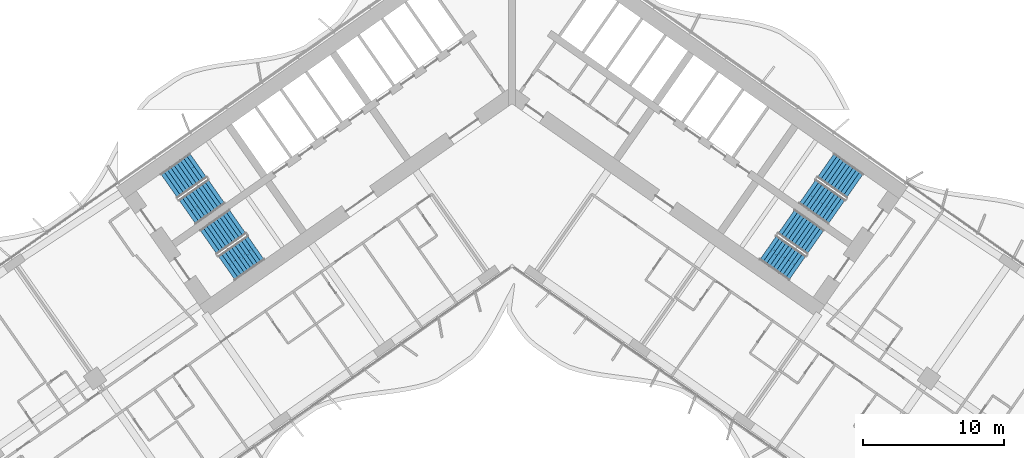
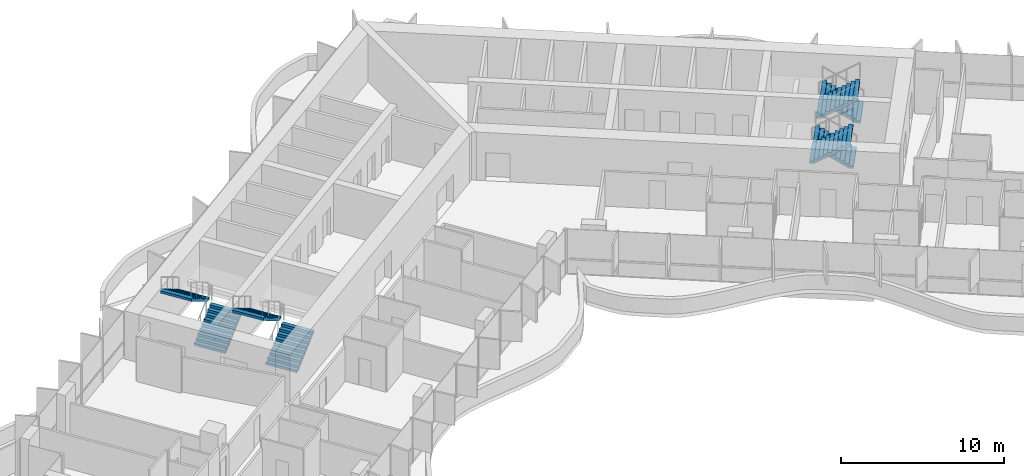
# One storey, part 18 of 25: 8 stair flights, 4 elements without a shape of their own.
"""IFC4 building model written with IfcOpenShell, lengths in metres."""

from ifc_helpers import new_model, si_unit, direction, frame, origin, place, context, subcontext, project, spatial, polyline, outline, extrude, material, type_object, element, aggregate, save


model = new_model("IFC4")

# Units and contexts
model_context = context("Model", 3, precision=1e-05, world=origin(), true_north=direction((0.0, 1.0)))
body_context = subcontext(model_context, "Body", "Model", "MODEL_VIEW")
ifc_project = project(units=[si_unit("LENGTHUNIT", "METRE"), si_unit("AREAUNIT", "SQUARE_METRE"), si_unit("VOLUMEUNIT", "CUBIC_METRE"), si_unit("PLANEANGLEUNIT", "RADIAN"), si_unit("MASSUNIT", "GRAM", prefix="KILO")], contexts=[model_context])

# Site, building, storey
site_placement = place(None, origin())
site = spatial("IfcSite", under=ifc_project, at=site_placement, CompositionType="ELEMENT")
building_placement = place(site_placement, origin())
building = spatial("IfcBuilding", under=site, at=building_placement, Name="Tel Ilan Convention Tower", CompositionType="ELEMENT")
storey_placement = place(building_placement, frame((0.0, 0.0, 97.699951171875)))
storey = spatial("IfcBuildingStorey", under=building, at=storey_placement, Name="L20", CompositionType="ELEMENT", Elevation=97.699951171875)

# Stair, stair flights
ifc_material_1 = material(Name="Concrete C40/50", Category="concrete")
stair_type = type_object("IfcStairType", Name="Pressurised Exit Stair 20 risers 180 mm", PredefinedType="HALF_TURN_STAIR", material=ifc_material_1)
stair_1_placement = place(storey_placement, origin())
stair_1 = element("IfcStair", 1, at=stair_1_placement, inside=storey, type_object=stair_type, Name="L20 Pressurised Stair S1", PredefinedType="HALF_TURN_STAIR")
ifc_material_2 = material(Name="Precast Concrete C40/50", Category="concrete")
stair_flight_type = type_object("IfcStairFlightType", Name="Concrete Stair Flight 2100 mm 20 risers 180 mm", PredefinedType="STRAIGHT", material=ifc_material_2)
stair_flight_1_placement = place(storey_placement, frame((-22.9619140625, -8.87548828125, 0.0), z_axis=(0.0, 0.0, 1.0), x_axis=(0.819152044289, 0.573576436351, 0.0)))
stair_flight_1 = element("IfcStairFlight", 2, at=stair_flight_1_placement, type_object=stair_flight_type, Name="S1 flight 1", NumberOfRisers=10, NumberOfTreads=9, PredefinedType="STRAIGHT", RiserHeight=0.18, TreadLength=0.28, context=body_context, shape_type="SweptSolid", body=[
    extrude(outline(polyline([(0.0, 0.0), (0.0, 0.179931640625), (0.280029296875, 0.179931640625), (0.280029296875, 0.360107421875), (0.56005859375, 0.360107421875), (0.56005859375, 0.5400390625), (0.840087890625, 0.5400390625), (0.840087890625, 0.719970703125), (1.1201171875, 0.719970703125), (1.1201171875, 0.89990234375), (1.39990234375, 0.89990234375), (1.39990234375, 1.080078125), (1.679931640625, 1.080078125), (1.679931640625, 1.260009765625), (1.9599609375, 1.260009765625), (1.9599609375, 1.43994140625), (2.239990234375, 1.43994140625), (2.239990234375, 1.6201171875), (2.52001953125, 1.6201171875), (2.52001953125, 1.800048828125), (2.52001953125, 1.44189453125), (0.277099609375, 0.0), (0.0, 0.0)])), frame((0.0, -0.100341796875, 0.0), z_axis=(0.0, -1.0, 0.0), x_axis=(1.0, 0.0, 0.0)), (0.0, 0.0, 1.0), 0.94970703125),
    extrude(outline(polyline([(0.0, 0.0), (0.0, 0.179931640625), (0.280029296875, 0.179931640625), (0.280029296875, 0.360107421875), (0.56005859375, 0.360107421875), (0.56005859375, 0.5400390625), (0.840087890625, 0.5400390625), (0.840087890625, 0.719970703125), (1.1201171875, 0.719970703125), (1.1201171875, 0.89990234375), (1.39990234375, 0.89990234375), (1.39990234375, 1.080078125), (1.679931640625, 1.080078125), (1.679931640625, 1.260009765625), (1.9599609375, 1.260009765625), (1.9599609375, 1.43994140625), (2.239990234375, 1.43994140625), (2.239990234375, 1.6201171875), (2.52001953125, 1.6201171875), (2.52001953125, 1.800048828125), (2.52001953125, 1.44189453125), (0.277099609375, 0.0), (0.0, 0.0)])), frame((0.0, -0.000244140625, 0.0), z_axis=(0.0, -1.0, 0.0), x_axis=(1.0, 0.0, 0.0)), (0.0, 0.0, 1.0), 0.099609375),
    extrude(outline(polyline([(0.0, 0.0), (0.0, 0.179931640625), (0.280029296875, 0.179931640625), (0.280029296875, 0.360107421875), (0.56005859375, 0.360107421875), (0.56005859375, 0.5400390625), (0.840087890625, 0.5400390625), (0.840087890625, 0.719970703125), (1.1201171875, 0.719970703125), (1.1201171875, 0.89990234375), (1.39990234375, 0.89990234375), (1.39990234375, 1.080078125), (1.679931640625, 1.080078125), (1.679931640625, 1.260009765625), (1.9599609375, 1.260009765625), (1.9599609375, 1.43994140625), (2.239990234375, 1.43994140625), (2.239990234375, 1.6201171875), (2.52001953125, 1.6201171875), (2.52001953125, 1.800048828125), (2.52001953125, 1.44189453125), (0.277099609375, 0.0), (0.0, 0.0)])), frame((0.0, 0.099853515625, 0.0), z_axis=(0.0, -1.0, 0.0), x_axis=(1.0, 0.0, 0.0)), (0.0, 0.0, 1.0), 0.099609375),
    extrude(outline(polyline([(0.0, 0.0), (0.0, 0.179931640625), (0.280029296875, 0.179931640625), (0.280029296875, 0.360107421875), (0.56005859375, 0.360107421875), (0.56005859375, 0.5400390625), (0.840087890625, 0.5400390625), (0.840087890625, 0.719970703125), (1.1201171875, 0.719970703125), (1.1201171875, 0.89990234375), (1.39990234375, 0.89990234375), (1.39990234375, 1.080078125), (1.679931640625, 1.080078125), (1.679931640625, 1.260009765625), (1.9599609375, 1.260009765625), (1.9599609375, 1.43994140625), (2.239990234375, 1.43994140625), (2.239990234375, 1.6201171875), (2.52001953125, 1.6201171875), (2.52001953125, 1.800048828125), (2.52001953125, 1.44189453125), (0.277099609375, 0.0), (0.0, 0.0)])), frame((0.0, 1.050048828125, 0.0), z_axis=(0.0, -1.0, 0.0), x_axis=(1.0, 0.0, 0.0)), (0.0, 0.0, 1.0), 0.94970703125),
])
stair_flight_2_placement = place(storey_placement, frame((-22.188232421875, -5.5869140625, 1.800048828125), z_axis=(0.0, 0.0, 1.0), x_axis=(-0.819152044289, -0.573576436351, 0.0)))
stair_flight_2 = element("IfcStairFlight", 3, at=stair_flight_2_placement, type_object=stair_flight_type, Name="S1 flight 2", NumberOfRisers=10, NumberOfTreads=9, PredefinedType="STRAIGHT", RiserHeight=0.18, TreadLength=0.28, context=body_context, shape_type="SweptSolid", body=[
    extrude(outline(polyline([(0.0, 0.0), (0.0, 0.179931640625), (0.280029296875, 0.179931640625), (0.280029296875, 0.360107421875), (0.56005859375, 0.360107421875), (0.56005859375, 0.5400390625), (0.840087890625, 0.5400390625), (0.840087890625, 0.719970703125), (1.1201171875, 0.719970703125), (1.1201171875, 0.89990234375), (1.39990234375, 0.89990234375), (1.39990234375, 1.080078125), (1.679931640625, 1.080078125), (1.679931640625, 1.260009765625), (1.9599609375, 1.260009765625), (1.9599609375, 1.43994140625), (2.239990234375, 1.43994140625), (2.239990234375, 1.6201171875), (2.52001953125, 1.6201171875), (2.52001953125, 1.800048828125), (2.52001953125, 1.44189453125), (0.277099609375, 0.0), (0.0, 0.0)])), frame((0.0, -0.100341796875, 0.0), z_axis=(0.0, -1.0, 0.0), x_axis=(1.0, 0.0, 0.0)), (0.0, 0.0, 1.0), 0.94970703125),
    extrude(outline(polyline([(0.0, 0.0), (0.0, 0.179931640625), (0.280029296875, 0.179931640625), (0.280029296875, 0.360107421875), (0.56005859375, 0.360107421875), (0.56005859375, 0.5400390625), (0.840087890625, 0.5400390625), (0.840087890625, 0.719970703125), (1.1201171875, 0.719970703125), (1.1201171875, 0.89990234375), (1.39990234375, 0.89990234375), (1.39990234375, 1.080078125), (1.679931640625, 1.080078125), (1.679931640625, 1.260009765625), (1.9599609375, 1.260009765625), (1.9599609375, 1.43994140625), (2.239990234375, 1.43994140625), (2.239990234375, 1.6201171875), (2.52001953125, 1.6201171875), (2.52001953125, 1.800048828125), (2.52001953125, 1.44189453125), (0.277099609375, 0.0), (0.0, 0.0)])), frame((0.0, -0.000244140625, 0.0), z_axis=(0.0, -1.0, 0.0), x_axis=(1.0, 0.0, 0.0)), (0.0, 0.0, 1.0), 0.099609375),
    extrude(outline(polyline([(0.0, 0.0), (0.0, 0.179931640625), (0.280029296875, 0.179931640625), (0.280029296875, 0.360107421875), (0.56005859375, 0.360107421875), (0.56005859375, 0.5400390625), (0.840087890625, 0.5400390625), (0.840087890625, 0.719970703125), (1.1201171875, 0.719970703125), (1.1201171875, 0.89990234375), (1.39990234375, 0.89990234375), (1.39990234375, 1.080078125), (1.679931640625, 1.080078125), (1.679931640625, 1.260009765625), (1.9599609375, 1.260009765625), (1.9599609375, 1.43994140625), (2.239990234375, 1.43994140625), (2.239990234375, 1.6201171875), (2.52001953125, 1.6201171875), (2.52001953125, 1.800048828125), (2.52001953125, 1.44189453125), (0.277099609375, 0.0), (0.0, 0.0)])), frame((0.0, 0.099853515625, 0.0), z_axis=(0.0, -1.0, 0.0), x_axis=(1.0, 0.0, 0.0)), (0.0, 0.0, 1.0), 0.099609375),
    extrude(outline(polyline([(0.0, 0.0), (0.0, 0.179931640625), (0.280029296875, 0.179931640625), (0.280029296875, 0.360107421875), (0.56005859375, 0.360107421875), (0.56005859375, 0.5400390625), (0.840087890625, 0.5400390625), (0.840087890625, 0.719970703125), (1.1201171875, 0.719970703125), (1.1201171875, 0.89990234375), (1.39990234375, 0.89990234375), (1.39990234375, 1.080078125), (1.679931640625, 1.080078125), (1.679931640625, 1.260009765625), (1.9599609375, 1.260009765625), (1.9599609375, 1.43994140625), (2.239990234375, 1.43994140625), (2.239990234375, 1.6201171875), (2.52001953125, 1.6201171875), (2.52001953125, 1.800048828125), (2.52001953125, 1.44189453125), (0.277099609375, 0.0), (0.0, 0.0)])), frame((0.0, 1.050048828125, 0.0), z_axis=(0.0, -1.0, 0.0), x_axis=(1.0, 0.0, 0.0)), (0.0, 0.0, 1.0), 0.94970703125),
])
aggregate(stair_1, [stair_flight_1, stair_flight_2])

stair_2_placement = place(storey_placement, origin())
stair_2 = element("IfcStair", 4, at=stair_2_placement, inside=storey, type_object=stair_type, Name="L20 Pressurised Stair S2", PredefinedType="HALF_TURN_STAIR")
stair_flight_3_placement = place(storey_placement, frame((-20.179931640625, -12.848388671875, 0.0), z_axis=(0.0, 0.0, 1.0), x_axis=(0.819152044289, 0.573576436351, 0.0)))
stair_flight_3 = element("IfcStairFlight", 5, at=stair_flight_3_placement, type_object=stair_flight_type, Name="S2 flight 1", NumberOfRisers=10, NumberOfTreads=9, PredefinedType="STRAIGHT", RiserHeight=0.18, TreadLength=0.28, context=body_context, shape_type="SweptSolid", body=[
    extrude(outline(polyline([(0.0, 0.0), (0.0, 0.179931640625), (0.280029296875, 0.179931640625), (0.280029296875, 0.360107421875), (0.56005859375, 0.360107421875), (0.56005859375, 0.5400390625), (0.840087890625, 0.5400390625), (0.840087890625, 0.719970703125), (1.1201171875, 0.719970703125), (1.1201171875, 0.89990234375), (1.39990234375, 0.89990234375), (1.39990234375, 1.080078125), (1.679931640625, 1.080078125), (1.679931640625, 1.260009765625), (1.9599609375, 1.260009765625), (1.9599609375, 1.43994140625), (2.239990234375, 1.43994140625), (2.239990234375, 1.6201171875), (2.52001953125, 1.6201171875), (2.52001953125, 1.800048828125), (2.52001953125, 1.44189453125), (0.277099609375, 0.0), (0.0, 0.0)])), frame((0.0, -0.100341796875, 0.0), z_axis=(0.0, -1.0, 0.0), x_axis=(1.0, 0.0, 0.0)), (0.0, 0.0, 1.0), 0.94970703125),
    extrude(outline(polyline([(0.0, 0.0), (0.0, 0.179931640625), (0.280029296875, 0.179931640625), (0.280029296875, 0.360107421875), (0.56005859375, 0.360107421875), (0.56005859375, 0.5400390625), (0.840087890625, 0.5400390625), (0.840087890625, 0.719970703125), (1.1201171875, 0.719970703125), (1.1201171875, 0.89990234375), (1.39990234375, 0.89990234375), (1.39990234375, 1.080078125), (1.679931640625, 1.080078125), (1.679931640625, 1.260009765625), (1.9599609375, 1.260009765625), (1.9599609375, 1.43994140625), (2.239990234375, 1.43994140625), (2.239990234375, 1.6201171875), (2.52001953125, 1.6201171875), (2.52001953125, 1.800048828125), (2.52001953125, 1.44189453125), (0.277099609375, 0.0), (0.0, 0.0)])), frame((0.0, -0.000244140625, 0.0), z_axis=(0.0, -1.0, 0.0), x_axis=(1.0, 0.0, 0.0)), (0.0, 0.0, 1.0), 0.099609375),
    extrude(outline(polyline([(0.0, 0.0), (0.0, 0.179931640625), (0.280029296875, 0.179931640625), (0.280029296875, 0.360107421875), (0.56005859375, 0.360107421875), (0.56005859375, 0.5400390625), (0.840087890625, 0.5400390625), (0.840087890625, 0.719970703125), (1.1201171875, 0.719970703125), (1.1201171875, 0.89990234375), (1.39990234375, 0.89990234375), (1.39990234375, 1.080078125), (1.679931640625, 1.080078125), (1.679931640625, 1.260009765625), (1.9599609375, 1.260009765625), (1.9599609375, 1.43994140625), (2.239990234375, 1.43994140625), (2.239990234375, 1.6201171875), (2.52001953125, 1.6201171875), (2.52001953125, 1.800048828125), (2.52001953125, 1.44189453125), (0.277099609375, 0.0), (0.0, 0.0)])), frame((0.0, 0.099853515625, 0.0), z_axis=(0.0, -1.0, 0.0), x_axis=(1.0, 0.0, 0.0)), (0.0, 0.0, 1.0), 0.099609375),
    extrude(outline(polyline([(0.0, 0.0), (0.0, 0.179931640625), (0.280029296875, 0.179931640625), (0.280029296875, 0.360107421875), (0.56005859375, 0.360107421875), (0.56005859375, 0.5400390625), (0.840087890625, 0.5400390625), (0.840087890625, 0.719970703125), (1.1201171875, 0.719970703125), (1.1201171875, 0.89990234375), (1.39990234375, 0.89990234375), (1.39990234375, 1.080078125), (1.679931640625, 1.080078125), (1.679931640625, 1.260009765625), (1.9599609375, 1.260009765625), (1.9599609375, 1.43994140625), (2.239990234375, 1.43994140625), (2.239990234375, 1.6201171875), (2.52001953125, 1.6201171875), (2.52001953125, 1.800048828125), (2.52001953125, 1.44189453125), (0.277099609375, 0.0), (0.0, 0.0)])), frame((0.0, 1.050048828125, 0.0), z_axis=(0.0, -1.0, 0.0), x_axis=(1.0, 0.0, 0.0)), (0.0, 0.0, 1.0), 0.94970703125),
])
stair_flight_4_placement = place(storey_placement, frame((-19.40625, -9.559814453125, 1.800048828125), z_axis=(0.0, 0.0, 1.0), x_axis=(-0.819152044289, -0.573576436351, 0.0)))
stair_flight_4 = element("IfcStairFlight", 6, at=stair_flight_4_placement, type_object=stair_flight_type, Name="S2 flight 2", NumberOfRisers=10, NumberOfTreads=9, PredefinedType="STRAIGHT", RiserHeight=0.18, TreadLength=0.28, context=body_context, shape_type="SweptSolid", body=[
    extrude(outline(polyline([(0.0, 0.0), (0.0, 0.179931640625), (0.280029296875, 0.179931640625), (0.280029296875, 0.360107421875), (0.56005859375, 0.360107421875), (0.56005859375, 0.5400390625), (0.840087890625, 0.5400390625), (0.840087890625, 0.719970703125), (1.1201171875, 0.719970703125), (1.1201171875, 0.89990234375), (1.39990234375, 0.89990234375), (1.39990234375, 1.080078125), (1.679931640625, 1.080078125), (1.679931640625, 1.260009765625), (1.9599609375, 1.260009765625), (1.9599609375, 1.43994140625), (2.239990234375, 1.43994140625), (2.239990234375, 1.6201171875), (2.52001953125, 1.6201171875), (2.52001953125, 1.800048828125), (2.52001953125, 1.44189453125), (0.277099609375, 0.0), (0.0, 0.0)])), frame((0.0, -0.100341796875, 0.0), z_axis=(0.0, -1.0, 0.0), x_axis=(1.0, 0.0, 0.0)), (0.0, 0.0, 1.0), 0.94970703125),
    extrude(outline(polyline([(0.0, 0.0), (0.0, 0.179931640625), (0.280029296875, 0.179931640625), (0.280029296875, 0.360107421875), (0.56005859375, 0.360107421875), (0.56005859375, 0.5400390625), (0.840087890625, 0.5400390625), (0.840087890625, 0.719970703125), (1.1201171875, 0.719970703125), (1.1201171875, 0.89990234375), (1.39990234375, 0.89990234375), (1.39990234375, 1.080078125), (1.679931640625, 1.080078125), (1.679931640625, 1.260009765625), (1.9599609375, 1.260009765625), (1.9599609375, 1.43994140625), (2.239990234375, 1.43994140625), (2.239990234375, 1.6201171875), (2.52001953125, 1.6201171875), (2.52001953125, 1.800048828125), (2.52001953125, 1.44189453125), (0.277099609375, 0.0), (0.0, 0.0)])), frame((0.0, -0.000244140625, 0.0), z_axis=(0.0, -1.0, 0.0), x_axis=(1.0, 0.0, 0.0)), (0.0, 0.0, 1.0), 0.099609375),
    extrude(outline(polyline([(0.0, 0.0), (0.0, 0.179931640625), (0.280029296875, 0.179931640625), (0.280029296875, 0.360107421875), (0.56005859375, 0.360107421875), (0.56005859375, 0.5400390625), (0.840087890625, 0.5400390625), (0.840087890625, 0.719970703125), (1.1201171875, 0.719970703125), (1.1201171875, 0.89990234375), (1.39990234375, 0.89990234375), (1.39990234375, 1.080078125), (1.679931640625, 1.080078125), (1.679931640625, 1.260009765625), (1.9599609375, 1.260009765625), (1.9599609375, 1.43994140625), (2.239990234375, 1.43994140625), (2.239990234375, 1.6201171875), (2.52001953125, 1.6201171875), (2.52001953125, 1.800048828125), (2.52001953125, 1.44189453125), (0.277099609375, 0.0), (0.0, 0.0)])), frame((0.0, 0.099853515625, 0.0), z_axis=(0.0, -1.0, 0.0), x_axis=(1.0, 0.0, 0.0)), (0.0, 0.0, 1.0), 0.099609375),
    extrude(outline(polyline([(0.0, 0.0), (0.0, 0.179931640625), (0.280029296875, 0.179931640625), (0.280029296875, 0.360107421875), (0.56005859375, 0.360107421875), (0.56005859375, 0.5400390625), (0.840087890625, 0.5400390625), (0.840087890625, 0.719970703125), (1.1201171875, 0.719970703125), (1.1201171875, 0.89990234375), (1.39990234375, 0.89990234375), (1.39990234375, 1.080078125), (1.679931640625, 1.080078125), (1.679931640625, 1.260009765625), (1.9599609375, 1.260009765625), (1.9599609375, 1.43994140625), (2.239990234375, 1.43994140625), (2.239990234375, 1.6201171875), (2.52001953125, 1.6201171875), (2.52001953125, 1.800048828125), (2.52001953125, 1.44189453125), (0.277099609375, 0.0), (0.0, 0.0)])), frame((0.0, 1.050048828125, 0.0), z_axis=(0.0, -1.0, 0.0), x_axis=(1.0, 0.0, 0.0)), (0.0, 0.0, 1.0), 0.94970703125),
])
aggregate(stair_2, [stair_flight_3, stair_flight_4])

stair_3_placement = place(storey_placement, origin())
stair_3 = element("IfcStair", 7, at=stair_3_placement, inside=storey, type_object=stair_type, Name="L20 Pressurised Stair S3", PredefinedType="HALF_TURN_STAIR")
stair_flight_5_placement = place(storey_placement, frame((24.25244140625, -7.032470703125, 0.0), z_axis=(0.0, 0.0, 1.0), x_axis=(-0.819152044289, 0.573576436351, 0.0)))
stair_flight_5 = element("IfcStairFlight", 8, at=stair_flight_5_placement, type_object=stair_flight_type, Name="S3 flight 1", NumberOfRisers=10, NumberOfTreads=9, PredefinedType="STRAIGHT", RiserHeight=0.18, TreadLength=0.28, context=body_context, shape_type="SweptSolid", body=[
    extrude(outline(polyline([(0.0, 0.0), (0.0, 0.179931640625), (0.280029296875, 0.179931640625), (0.280029296875, 0.360107421875), (0.56005859375, 0.360107421875), (0.56005859375, 0.5400390625), (0.840087890625, 0.5400390625), (0.840087890625, 0.719970703125), (1.1201171875, 0.719970703125), (1.1201171875, 0.89990234375), (1.39990234375, 0.89990234375), (1.39990234375, 1.080078125), (1.679931640625, 1.080078125), (1.679931640625, 1.260009765625), (1.9599609375, 1.260009765625), (1.9599609375, 1.43994140625), (2.239990234375, 1.43994140625), (2.239990234375, 1.6201171875), (2.52001953125, 1.6201171875), (2.52001953125, 1.800048828125), (2.52001953125, 1.44189453125), (0.277099609375, 0.0), (0.0, 0.0)])), frame((0.0, -0.100341796875, 0.0), z_axis=(0.0, -1.0, 0.0), x_axis=(1.0, 0.0, 0.0)), (0.0, 0.0, 1.0), 0.94970703125),
    extrude(outline(polyline([(0.0, 0.0), (0.0, 0.179931640625), (0.280029296875, 0.179931640625), (0.280029296875, 0.360107421875), (0.56005859375, 0.360107421875), (0.56005859375, 0.5400390625), (0.840087890625, 0.5400390625), (0.840087890625, 0.719970703125), (1.1201171875, 0.719970703125), (1.1201171875, 0.89990234375), (1.39990234375, 0.89990234375), (1.39990234375, 1.080078125), (1.679931640625, 1.080078125), (1.679931640625, 1.260009765625), (1.9599609375, 1.260009765625), (1.9599609375, 1.43994140625), (2.239990234375, 1.43994140625), (2.239990234375, 1.6201171875), (2.52001953125, 1.6201171875), (2.52001953125, 1.800048828125), (2.52001953125, 1.44189453125), (0.277099609375, 0.0), (0.0, 0.0)])), frame((0.0, -0.000244140625, 0.0), z_axis=(0.0, -1.0, 0.0), x_axis=(1.0, 0.0, 0.0)), (0.0, 0.0, 1.0), 0.099609375),
    extrude(outline(polyline([(0.0, 0.0), (0.0, 0.179931640625), (0.280029296875, 0.179931640625), (0.280029296875, 0.360107421875), (0.56005859375, 0.360107421875), (0.56005859375, 0.5400390625), (0.840087890625, 0.5400390625), (0.840087890625, 0.719970703125), (1.1201171875, 0.719970703125), (1.1201171875, 0.89990234375), (1.39990234375, 0.89990234375), (1.39990234375, 1.080078125), (1.679931640625, 1.080078125), (1.679931640625, 1.260009765625), (1.9599609375, 1.260009765625), (1.9599609375, 1.43994140625), (2.239990234375, 1.43994140625), (2.239990234375, 1.6201171875), (2.52001953125, 1.6201171875), (2.52001953125, 1.800048828125), (2.52001953125, 1.44189453125), (0.277099609375, 0.0), (0.0, 0.0)])), frame((0.0, 0.099853515625, 0.0), z_axis=(0.0, -1.0, 0.0), x_axis=(1.0, 0.0, 0.0)), (0.0, 0.0, 1.0), 0.099609375),
    extrude(outline(polyline([(0.0, 0.0), (0.0, 0.179931640625), (0.280029296875, 0.179931640625), (0.280029296875, 0.360107421875), (0.56005859375, 0.360107421875), (0.56005859375, 0.5400390625), (0.840087890625, 0.5400390625), (0.840087890625, 0.719970703125), (1.1201171875, 0.719970703125), (1.1201171875, 0.89990234375), (1.39990234375, 0.89990234375), (1.39990234375, 1.080078125), (1.679931640625, 1.080078125), (1.679931640625, 1.260009765625), (1.9599609375, 1.260009765625), (1.9599609375, 1.43994140625), (2.239990234375, 1.43994140625), (2.239990234375, 1.6201171875), (2.52001953125, 1.6201171875), (2.52001953125, 1.800048828125), (2.52001953125, 1.44189453125), (0.277099609375, 0.0), (0.0, 0.0)])), frame((0.0, 1.050048828125, 0.0), z_axis=(0.0, -1.0, 0.0), x_axis=(1.0, 0.0, 0.0)), (0.0, 0.0, 1.0), 0.94970703125),
])
stair_flight_6_placement = place(storey_placement, frame((20.8974609375, -7.43017578125, 1.800048828125), z_axis=(0.0, 0.0, 1.0), x_axis=(0.819152044289, -0.573576436351, 0.0)))
stair_flight_6 = element("IfcStairFlight", 9, at=stair_flight_6_placement, type_object=stair_flight_type, Name="S3 flight 2", NumberOfRisers=10, NumberOfTreads=9, PredefinedType="STRAIGHT", RiserHeight=0.18, TreadLength=0.28, context=body_context, shape_type="SweptSolid", body=[
    extrude(outline(polyline([(0.0, 0.0), (0.0, 0.179931640625), (0.280029296875, 0.179931640625), (0.280029296875, 0.360107421875), (0.56005859375, 0.360107421875), (0.56005859375, 0.5400390625), (0.840087890625, 0.5400390625), (0.840087890625, 0.719970703125), (1.1201171875, 0.719970703125), (1.1201171875, 0.89990234375), (1.39990234375, 0.89990234375), (1.39990234375, 1.080078125), (1.679931640625, 1.080078125), (1.679931640625, 1.260009765625), (1.9599609375, 1.260009765625), (1.9599609375, 1.43994140625), (2.239990234375, 1.43994140625), (2.239990234375, 1.6201171875), (2.52001953125, 1.6201171875), (2.52001953125, 1.800048828125), (2.52001953125, 1.44189453125), (0.277099609375, 0.0), (0.0, 0.0)])), frame((0.0, -0.100341796875, 0.0), z_axis=(0.0, -1.0, 0.0), x_axis=(1.0, 0.0, 0.0)), (0.0, 0.0, 1.0), 0.94970703125),
    extrude(outline(polyline([(0.0, 0.0), (0.0, 0.179931640625), (0.280029296875, 0.179931640625), (0.280029296875, 0.360107421875), (0.56005859375, 0.360107421875), (0.56005859375, 0.5400390625), (0.840087890625, 0.5400390625), (0.840087890625, 0.719970703125), (1.1201171875, 0.719970703125), (1.1201171875, 0.89990234375), (1.39990234375, 0.89990234375), (1.39990234375, 1.080078125), (1.679931640625, 1.080078125), (1.679931640625, 1.260009765625), (1.9599609375, 1.260009765625), (1.9599609375, 1.43994140625), (2.239990234375, 1.43994140625), (2.239990234375, 1.6201171875), (2.52001953125, 1.6201171875), (2.52001953125, 1.800048828125), (2.52001953125, 1.44189453125), (0.277099609375, 0.0), (0.0, 0.0)])), frame((0.0, -0.000244140625, 0.0), z_axis=(0.0, -1.0, 0.0), x_axis=(1.0, 0.0, 0.0)), (0.0, 0.0, 1.0), 0.099609375),
    extrude(outline(polyline([(0.0, 0.0), (0.0, 0.179931640625), (0.280029296875, 0.179931640625), (0.280029296875, 0.360107421875), (0.56005859375, 0.360107421875), (0.56005859375, 0.5400390625), (0.840087890625, 0.5400390625), (0.840087890625, 0.719970703125), (1.1201171875, 0.719970703125), (1.1201171875, 0.89990234375), (1.39990234375, 0.89990234375), (1.39990234375, 1.080078125), (1.679931640625, 1.080078125), (1.679931640625, 1.260009765625), (1.9599609375, 1.260009765625), (1.9599609375, 1.43994140625), (2.239990234375, 1.43994140625), (2.239990234375, 1.6201171875), (2.52001953125, 1.6201171875), (2.52001953125, 1.800048828125), (2.52001953125, 1.44189453125), (0.277099609375, 0.0), (0.0, 0.0)])), frame((0.0, 0.099853515625, 0.0), z_axis=(0.0, -1.0, 0.0), x_axis=(1.0, 0.0, 0.0)), (0.0, 0.0, 1.0), 0.099609375),
    extrude(outline(polyline([(0.0, 0.0), (0.0, 0.179931640625), (0.280029296875, 0.179931640625), (0.280029296875, 0.360107421875), (0.56005859375, 0.360107421875), (0.56005859375, 0.5400390625), (0.840087890625, 0.5400390625), (0.840087890625, 0.719970703125), (1.1201171875, 0.719970703125), (1.1201171875, 0.89990234375), (1.39990234375, 0.89990234375), (1.39990234375, 1.080078125), (1.679931640625, 1.080078125), (1.679931640625, 1.260009765625), (1.9599609375, 1.260009765625), (1.9599609375, 1.43994140625), (2.239990234375, 1.43994140625), (2.239990234375, 1.6201171875), (2.52001953125, 1.6201171875), (2.52001953125, 1.800048828125), (2.52001953125, 1.44189453125), (0.277099609375, 0.0), (0.0, 0.0)])), frame((0.0, 1.050048828125, 0.0), z_axis=(0.0, -1.0, 0.0), x_axis=(1.0, 0.0, 0.0)), (0.0, 0.0, 1.0), 0.94970703125),
])
aggregate(stair_3, [stair_flight_5, stair_flight_6])

stair_4_placement = place(storey_placement, origin())
stair_4 = element("IfcStair", 10, at=stair_4_placement, inside=storey, type_object=stair_type, Name="L20 Pressurised Stair S4", PredefinedType="HALF_TURN_STAIR")
stair_flight_7_placement = place(storey_placement, frame((21.470458984375, -11.00537109375, 0.0), z_axis=(0.0, 0.0, 1.0), x_axis=(-0.819152044289, 0.573576436351, 0.0)))
stair_flight_7 = element("IfcStairFlight", 11, at=stair_flight_7_placement, type_object=stair_flight_type, Name="S4 flight 1", NumberOfRisers=10, NumberOfTreads=9, PredefinedType="STRAIGHT", RiserHeight=0.18, TreadLength=0.28, context=body_context, shape_type="SweptSolid", body=[
    extrude(outline(polyline([(0.0, 0.0), (0.0, 0.179931640625), (0.280029296875, 0.179931640625), (0.280029296875, 0.360107421875), (0.56005859375, 0.360107421875), (0.56005859375, 0.5400390625), (0.840087890625, 0.5400390625), (0.840087890625, 0.719970703125), (1.1201171875, 0.719970703125), (1.1201171875, 0.89990234375), (1.39990234375, 0.89990234375), (1.39990234375, 1.080078125), (1.679931640625, 1.080078125), (1.679931640625, 1.260009765625), (1.9599609375, 1.260009765625), (1.9599609375, 1.43994140625), (2.239990234375, 1.43994140625), (2.239990234375, 1.6201171875), (2.52001953125, 1.6201171875), (2.52001953125, 1.800048828125), (2.52001953125, 1.44189453125), (0.277099609375, 0.0), (0.0, 0.0)])), frame((0.0, -0.100341796875, 0.0), z_axis=(0.0, -1.0, 0.0), x_axis=(1.0, 0.0, 0.0)), (0.0, 0.0, 1.0), 0.94970703125),
    extrude(outline(polyline([(0.0, 0.0), (0.0, 0.179931640625), (0.280029296875, 0.179931640625), (0.280029296875, 0.360107421875), (0.56005859375, 0.360107421875), (0.56005859375, 0.5400390625), (0.840087890625, 0.5400390625), (0.840087890625, 0.719970703125), (1.1201171875, 0.719970703125), (1.1201171875, 0.89990234375), (1.39990234375, 0.89990234375), (1.39990234375, 1.080078125), (1.679931640625, 1.080078125), (1.679931640625, 1.260009765625), (1.9599609375, 1.260009765625), (1.9599609375, 1.43994140625), (2.239990234375, 1.43994140625), (2.239990234375, 1.6201171875), (2.52001953125, 1.6201171875), (2.52001953125, 1.800048828125), (2.52001953125, 1.44189453125), (0.277099609375, 0.0), (0.0, 0.0)])), frame((0.0, -0.000244140625, 0.0), z_axis=(0.0, -1.0, 0.0), x_axis=(1.0, 0.0, 0.0)), (0.0, 0.0, 1.0), 0.099609375),
    extrude(outline(polyline([(0.0, 0.0), (0.0, 0.179931640625), (0.280029296875, 0.179931640625), (0.280029296875, 0.360107421875), (0.56005859375, 0.360107421875), (0.56005859375, 0.5400390625), (0.840087890625, 0.5400390625), (0.840087890625, 0.719970703125), (1.1201171875, 0.719970703125), (1.1201171875, 0.89990234375), (1.39990234375, 0.89990234375), (1.39990234375, 1.080078125), (1.679931640625, 1.080078125), (1.679931640625, 1.260009765625), (1.9599609375, 1.260009765625), (1.9599609375, 1.43994140625), (2.239990234375, 1.43994140625), (2.239990234375, 1.6201171875), (2.52001953125, 1.6201171875), (2.52001953125, 1.800048828125), (2.52001953125, 1.44189453125), (0.277099609375, 0.0), (0.0, 0.0)])), frame((0.0, 0.099853515625, 0.0), z_axis=(0.0, -1.0, 0.0), x_axis=(1.0, 0.0, 0.0)), (0.0, 0.0, 1.0), 0.099609375),
    extrude(outline(polyline([(0.0, 0.0), (0.0, 0.179931640625), (0.280029296875, 0.179931640625), (0.280029296875, 0.360107421875), (0.56005859375, 0.360107421875), (0.56005859375, 0.5400390625), (0.840087890625, 0.5400390625), (0.840087890625, 0.719970703125), (1.1201171875, 0.719970703125), (1.1201171875, 0.89990234375), (1.39990234375, 0.89990234375), (1.39990234375, 1.080078125), (1.679931640625, 1.080078125), (1.679931640625, 1.260009765625), (1.9599609375, 1.260009765625), (1.9599609375, 1.43994140625), (2.239990234375, 1.43994140625), (2.239990234375, 1.6201171875), (2.52001953125, 1.6201171875), (2.52001953125, 1.800048828125), (2.52001953125, 1.44189453125), (0.277099609375, 0.0), (0.0, 0.0)])), frame((0.0, 1.050048828125, 0.0), z_axis=(0.0, -1.0, 0.0), x_axis=(1.0, 0.0, 0.0)), (0.0, 0.0, 1.0), 0.94970703125),
])
stair_flight_8_placement = place(storey_placement, frame((18.11572265625, -11.403076171875, 1.800048828125), z_axis=(0.0, 0.0, 1.0), x_axis=(0.819152044289, -0.573576436351, 0.0)))
stair_flight_8 = element("IfcStairFlight", 12, at=stair_flight_8_placement, type_object=stair_flight_type, Name="S4 flight 2", NumberOfRisers=10, NumberOfTreads=9, PredefinedType="STRAIGHT", RiserHeight=0.18, TreadLength=0.28, context=body_context, shape_type="SweptSolid", body=[
    extrude(outline(polyline([(0.0, 0.0), (0.0, 0.179931640625), (0.280029296875, 0.179931640625), (0.280029296875, 0.360107421875), (0.56005859375, 0.360107421875), (0.56005859375, 0.5400390625), (0.840087890625, 0.5400390625), (0.840087890625, 0.719970703125), (1.1201171875, 0.719970703125), (1.1201171875, 0.89990234375), (1.39990234375, 0.89990234375), (1.39990234375, 1.080078125), (1.679931640625, 1.080078125), (1.679931640625, 1.260009765625), (1.9599609375, 1.260009765625), (1.9599609375, 1.43994140625), (2.239990234375, 1.43994140625), (2.239990234375, 1.6201171875), (2.52001953125, 1.6201171875), (2.52001953125, 1.800048828125), (2.52001953125, 1.44189453125), (0.277099609375, 0.0), (0.0, 0.0)])), frame((0.0, -0.100341796875, 0.0), z_axis=(0.0, -1.0, 0.0), x_axis=(1.0, 0.0, 0.0)), (0.0, 0.0, 1.0), 0.94970703125),
    extrude(outline(polyline([(0.0, 0.0), (0.0, 0.179931640625), (0.280029296875, 0.179931640625), (0.280029296875, 0.360107421875), (0.56005859375, 0.360107421875), (0.56005859375, 0.5400390625), (0.840087890625, 0.5400390625), (0.840087890625, 0.719970703125), (1.1201171875, 0.719970703125), (1.1201171875, 0.89990234375), (1.39990234375, 0.89990234375), (1.39990234375, 1.080078125), (1.679931640625, 1.080078125), (1.679931640625, 1.260009765625), (1.9599609375, 1.260009765625), (1.9599609375, 1.43994140625), (2.239990234375, 1.43994140625), (2.239990234375, 1.6201171875), (2.52001953125, 1.6201171875), (2.52001953125, 1.800048828125), (2.52001953125, 1.44189453125), (0.277099609375, 0.0), (0.0, 0.0)])), frame((0.0, -0.000244140625, 0.0), z_axis=(0.0, -1.0, 0.0), x_axis=(1.0, 0.0, 0.0)), (0.0, 0.0, 1.0), 0.099609375),
    extrude(outline(polyline([(0.0, 0.0), (0.0, 0.179931640625), (0.280029296875, 0.179931640625), (0.280029296875, 0.360107421875), (0.56005859375, 0.360107421875), (0.56005859375, 0.5400390625), (0.840087890625, 0.5400390625), (0.840087890625, 0.719970703125), (1.1201171875, 0.719970703125), (1.1201171875, 0.89990234375), (1.39990234375, 0.89990234375), (1.39990234375, 1.080078125), (1.679931640625, 1.080078125), (1.679931640625, 1.260009765625), (1.9599609375, 1.260009765625), (1.9599609375, 1.43994140625), (2.239990234375, 1.43994140625), (2.239990234375, 1.6201171875), (2.52001953125, 1.6201171875), (2.52001953125, 1.800048828125), (2.52001953125, 1.44189453125), (0.277099609375, 0.0), (0.0, 0.0)])), frame((0.0, 0.099853515625, 0.0), z_axis=(0.0, -1.0, 0.0), x_axis=(1.0, 0.0, 0.0)), (0.0, 0.0, 1.0), 0.099609375),
    extrude(outline(polyline([(0.0, 0.0), (0.0, 0.179931640625), (0.280029296875, 0.179931640625), (0.280029296875, 0.360107421875), (0.56005859375, 0.360107421875), (0.56005859375, 0.5400390625), (0.840087890625, 0.5400390625), (0.840087890625, 0.719970703125), (1.1201171875, 0.719970703125), (1.1201171875, 0.89990234375), (1.39990234375, 0.89990234375), (1.39990234375, 1.080078125), (1.679931640625, 1.080078125), (1.679931640625, 1.260009765625), (1.9599609375, 1.260009765625), (1.9599609375, 1.43994140625), (2.239990234375, 1.43994140625), (2.239990234375, 1.6201171875), (2.52001953125, 1.6201171875), (2.52001953125, 1.800048828125), (2.52001953125, 1.44189453125), (0.277099609375, 0.0), (0.0, 0.0)])), frame((0.0, 1.050048828125, 0.0), z_axis=(0.0, -1.0, 0.0), x_axis=(1.0, 0.0, 0.0)), (0.0, 0.0, 1.0), 0.94970703125),
])
aggregate(stair_4, [stair_flight_7, stair_flight_8])

save(model, "model.ifc")
